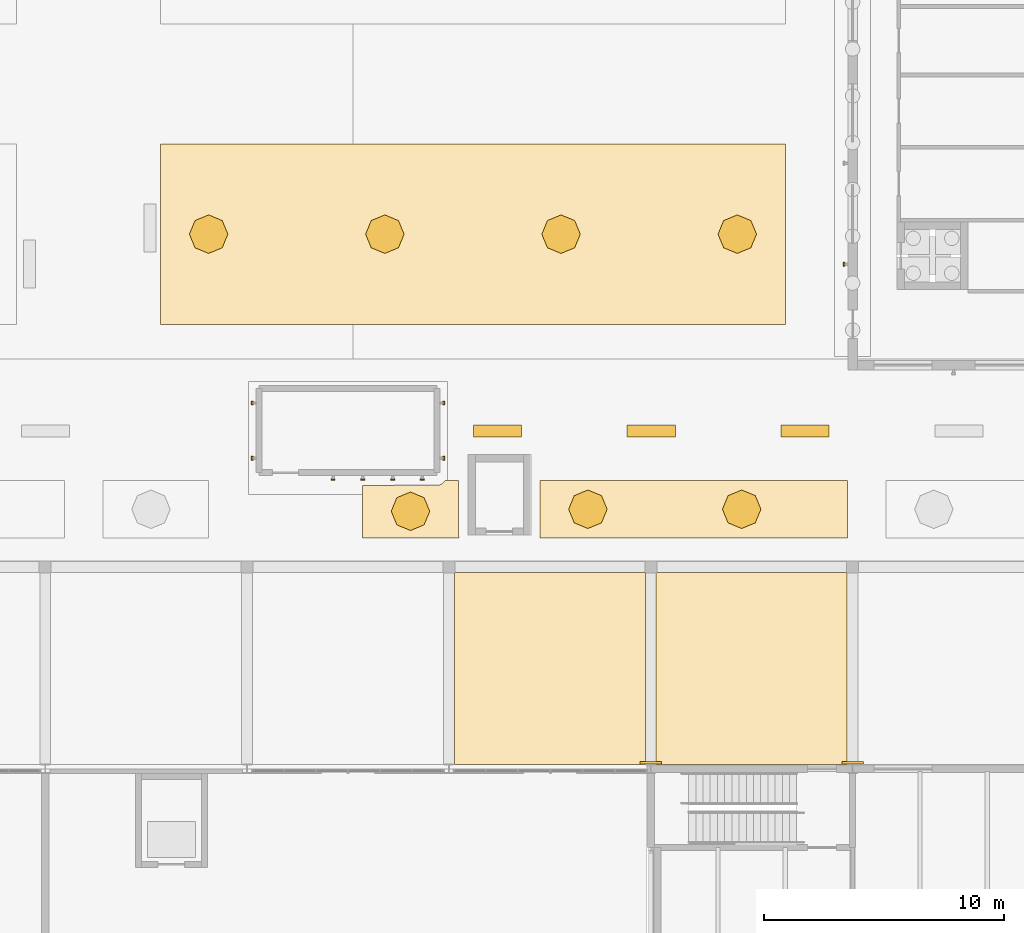
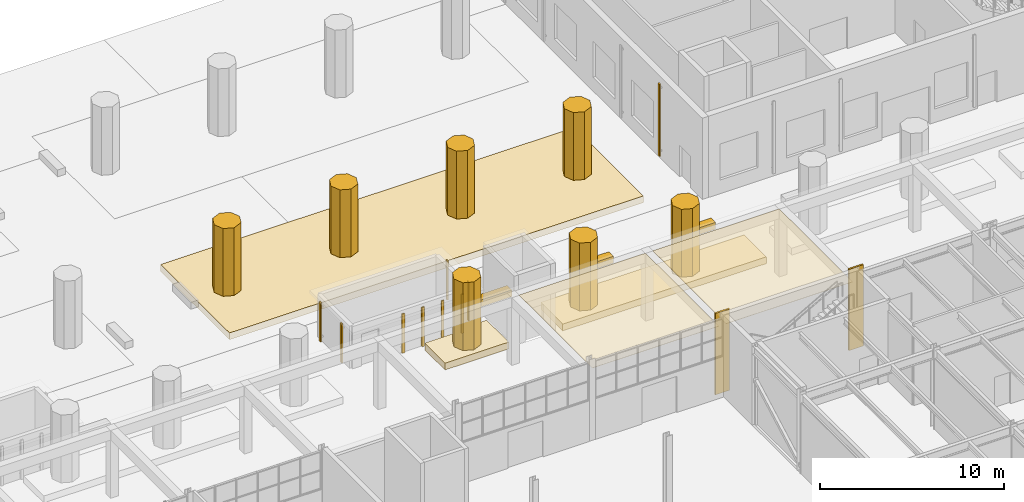
# One storey, part 116 of 127: 17 coverings, 9 shading devices.
"""IFC4 building model written with IfcOpenShell, lengths in metres."""

from ifc_helpers import new_model, si_unit, direction, frame, origin, origin_2d, place, context, subcontext, project, spatial, polyline, rectangle, outline, extrude, material, layer, layer_set, type_object, element, save


model = new_model("IFC4")

# Units and contexts
model_context = context("Model", 3, precision=1e-05, world=origin(), true_north=direction((0.0, 1.0)))
body_context = subcontext(model_context, "Body", "Model", "MODEL_VIEW")
ifc_project = project(units=[si_unit("LENGTHUNIT", "METRE"), si_unit("AREAUNIT", "SQUARE_METRE"), si_unit("VOLUMEUNIT", "CUBIC_METRE"), si_unit("PLANEANGLEUNIT", "RADIAN"), si_unit("MASSUNIT", "GRAM", prefix="KILO")], contexts=[model_context])

# Site, building, storey
site_placement = place(None, origin())
site = spatial("IfcSite", under=ifc_project, at=site_placement, CompositionType="ELEMENT")
building_placement = place(site_placement, origin())
building = spatial("IfcBuilding", under=site, at=building_placement, Name="Ljudholm Concert House", CompositionType="ELEMENT")
storey_placement = place(building_placement, origin())
storey = spatial("IfcBuildingStorey", under=building, at=storey_placement, Name="L00", CompositionType="ELEMENT", Elevation=0.0)

# Coverings
ifc_material_1 = material(Name="Aluminium soffit panels, timber-grain PVDF finish", Category="aluminium")
ifc_layer_1 = layer(ifc_material_1, 0.02001953125)
ifc_layer_set_1 = layer_set([ifc_layer_1], Name="Aluminium soffit panels, timber-grain PVDF finish")
covering_type_1 = type_object("IfcCoveringType", Name="ALUMINIUM SOFFIT PANELS, TIMBER-GRAIN PVDF FINISH CEILING 20", PredefinedType="CEILING", material=ifc_layer_set_1)
covering_1_placement = place(storey_placement, frame((0.0, 0.0, 4.47998046875)))
element("IfcCovering", 1, at=covering_1_placement, inside=storey, type_object=covering_type_1, Name="Arcade soffit", PredefinedType="CEILING", context=body_context, shape_type="SweptSolid", body=[
    extrude(outline(polyline([(46.22509765625, 130.186767578125), (54.175048828125, 130.186767578125), (54.175048828125, 138.175048828125), (46.22509765625, 138.175048828125), (46.22509765625, 130.186767578125)])), origin(), (0.0, 0.0, 1.0), 0.02001953125),
])
covering_2_placement = place(storey_placement, frame((0.0, 0.0, 4.47998046875)))
element("IfcCovering", 2, at=covering_2_placement, inside=storey, type_object=covering_type_1, Name="Arcade soffit", PredefinedType="CEILING", context=body_context, shape_type="SweptSolid", body=[
    extrude(outline(polyline([(54.625, 130.186767578125), (62.574951171875, 130.186767578125), (62.574951171875, 138.175048828125), (54.625, 138.175048828125), (54.625, 130.186767578125)])), origin(), (0.0, 0.0, 1.0), 0.02001953125),
])

# Shading devices
ifc_material_2 = material(Name="Aluminium extrusion with timber-grain PVDF finish", Category="aluminium")
shading_device_type = type_object("IfcShadingDeviceType", Name="FACADE FIN 80x160", PredefinedType="SHUTTER", material=ifc_material_2)
for number, where, z_axis, x_axis, name in (
    (3, (41.177978515625, 142.0400390625, 0.099853515625), (0.0, 0.0, 1.0), (0.0, -1.0, 0.0), "Facade fin"),
    (4, (42.4169921875, 142.0400390625, 0.099853515625), (0.0, 0.0, 1.0), (0.0, -1.0, 0.0), "Facade fin"),
    (5, (43.656005859375, 142.0400390625, 0.099853515625), (0.0, 0.0, 1.0), (0.0, -1.0, 0.0), "Facade fin"),
    (6, (44.89501953125, 142.0400390625, 0.099853515625), (0.0, 0.0, 1.0), (0.0, -1.0, 0.0), "Facade fin"),
    (7, (37.81494140625, 142.925048828125, 0.099853515625), (0.0, 0.0, 1.0), (-1.0, 0.0, 0.0), "Facade fin"),
    (8, (37.81494140625, 145.22509765625, 0.099853515625), (0.0, 0.0, 1.0), (-1.0, 0.0, 0.0), "Facade fin"),
    (9, (45.780029296875, 142.925048828125, 0.099853515625), (0.0, 0.0, 1.0), (1.0, 0.0, 0.0), "Facade fin"),
    (10, (45.780029296875, 145.22509765625, 0.099853515625), (0.0, 0.0, 1.0), (1.0, 0.0, 0.0), "Facade fin"),
):
    element("IfcShadingDevice", number, at=place(storey_placement, frame(where, z_axis=z_axis, x_axis=x_axis)), inside=storey, type_object=shading_device_type, Name=name, PredefinedType="SHUTTER", context=body_context, shape_type="SweptSolid", body=[
        extrude(rectangle(XDim=0.080078125, YDim=0.159912109375, at=origin_2d()), origin(), (0.0, 0.0, 1.0), 2.60009765625),
    ])
shading_device_placement = place(storey_placement, frame((62.43994140625, 151.0, 0.2998046875), z_axis=(0.0, 0.0, 1.0), x_axis=(-1.0, 0.0, 0.0)))
element("IfcShadingDevice", 11, at=shading_device_placement, inside=storey, type_object=shading_device_type, Name="Facade fin", PredefinedType="SHUTTER", context=body_context, shape_type="SweptSolid", body=[
    extrude(rectangle(XDim=0.080078125, YDim=0.159912109375, at=origin_2d()), origin(), (0.0, 0.0, 1.0), 4.800048828125),
])

# Coverings
ifc_material_3 = material(Name="Planting soil and ground cover")
ifc_layer_2 = layer(ifc_material_3, 0.449951171875)
ifc_layer_set_2 = layer_set([ifc_layer_2], Name="Planting soil and ground cover")
covering_type_2 = type_object("IfcCoveringType", Name="PLANTING SOIL AND GROUND COVER FLOOR FINISH 450", PredefinedType="FLOORING", material=ifc_layer_set_2)
covering_3_placement = place(storey_placement, frame((0.0, 0.0, -0.449951171875)))
element("IfcCovering", 12, at=covering_3_placement, inside=storey, type_object=covering_type_2, Name="Garden bed", PredefinedType="FLOORING", context=body_context, shape_type="SweptSolid", body=[
    extrude(outline(polyline([(34.0, 148.5), (60.0, 148.5), (60.0, 156.0), (34.0, 156.0), (34.0, 148.5)])), origin(), (0.0, 0.0, 1.0), 0.449951171875),
])
covering_4_placement = place(storey_placement, origin())
element("IfcCovering", 13, at=covering_4_placement, inside=storey, type_object=covering_type_2, Name="Planting bed", PredefinedType="FLOORING", context=body_context, shape_type="SweptSolid", body=[
    extrude(outline(polyline([(42.39990234375, 139.60009765625), (42.39990234375, 141.800048828125), (45.5341796875, 141.802001953125), (45.611083984375, 141.817138671875), (45.71728515625, 141.867431640625), (45.8525390625, 142.0), (46.39990234375, 142.0), (46.39990234375, 139.72509765625), (46.42041015625, 139.60009765625), (42.39990234375, 139.60009765625)])), origin(), (0.0, 0.0, 1.0), 0.449951171875),
])
covering_5_placement = place(storey_placement, origin())
element("IfcCovering", 14, at=covering_5_placement, inside=storey, type_object=covering_type_2, Name="Planting bed", PredefinedType="FLOORING", context=body_context, shape_type="SweptSolid", body=[
    extrude(outline(polyline([(49.78271484375, 139.60888671875), (49.800048828125, 139.72509765625), (49.800048828125, 142.0), (62.57958984375, 142.0), (62.57958984375, 139.60009765625), (49.78271484375, 139.60888671875)])), origin(), (0.0, 0.0, 1.0), 0.449951171875),
])
ifc_material_4 = material(Name="Precast concrete, limestone aggregate", Category="masonry")
ifc_layer_3 = layer(ifc_material_4, 0.110107421875)
ifc_layer_set_3 = layer_set([ifc_layer_3], Name="Precast concrete, limestone aggregate")
covering_type_3 = type_object("IfcCoveringType", Name="PRECAST CONCRETE, LIMESTONE AGGREGATE CLADDING 110", PredefinedType="CLADDING", material=ifc_layer_set_3)
for number, where, z_axis, x_axis, name in (
    (15, (54.39990234375, 130.2451171875, 0.0), (0.0, 0.0, 1.0), (0.0, 1.0, 0.0), "Pilaster cladding"),
    (16, (62.800048828125, 130.2451171875, 0.0), (0.0, 0.0, 1.0), (0.0, 1.0, 0.0), "Pilaster cladding"),
):
    element("IfcCovering", number, at=place(storey_placement, frame(where, z_axis=z_axis, x_axis=x_axis)), inside=storey, type_object=covering_type_3, Name=name, PredefinedType="CLADDING", context=body_context, shape_type="SweptSolid", body=[
        extrude(rectangle(XDim=0.110107421875, YDim=0.89990234375, at=origin_2d()), origin(), (0.0, 0.0, 1.0), 5.39990234375),
    ])
ifc_material_5 = material(Name="Timber-grain hardwood decking on concrete plinth", Category="concrete")
ifc_layer_4 = layer(ifc_material_5, 0.449951171875)
ifc_layer_set_4 = layer_set([ifc_layer_4], Name="Timber-grain hardwood decking on concrete plinth")
covering_type_4 = type_object("IfcCoveringType", Name="TIMBER-GRAIN HARDWOOD DECKING ON CONCRETE PLINTH FLOOR FINISH 450", PredefinedType="FLOORING", material=ifc_layer_set_4)
covering_6_placement = place(storey_placement, origin())
element("IfcCovering", 17, at=covering_6_placement, inside=storey, type_object=covering_type_4, Name="Timber seating platform", PredefinedType="FLOORING", context=body_context, shape_type="SweptSolid", body=[
    extrude(outline(polyline([(47.02001953125, 143.800048828125), (49.02001953125, 143.800048828125), (49.02001953125, 144.300048828125), (47.02001953125, 144.300048828125), (47.02001953125, 143.800048828125)])), origin(), (0.0, 0.0, 1.0), 0.449951171875),
])
covering_7_placement = place(storey_placement, origin())
element("IfcCovering", 18, at=covering_7_placement, inside=storey, type_object=covering_type_4, Name="Timber seating platform", PredefinedType="FLOORING", context=body_context, shape_type="SweptSolid", body=[
    extrude(outline(polyline([(53.419921875, 143.800048828125), (55.419921875, 143.800048828125), (55.419921875, 144.300048828125), (53.419921875, 144.300048828125), (53.419921875, 143.800048828125)])), origin(), (0.0, 0.0, 1.0), 0.449951171875),
])
covering_8_placement = place(storey_placement, origin())
element("IfcCovering", 19, at=covering_8_placement, inside=storey, type_object=covering_type_4, Name="Timber seating platform", PredefinedType="FLOORING", context=body_context, shape_type="SweptSolid", body=[
    extrude(outline(polyline([(59.820068359375, 143.800048828125), (61.820068359375, 143.800048828125), (61.820068359375, 144.300048828125), (59.820068359375, 144.300048828125), (59.820068359375, 143.800048828125)])), origin(), (0.0, 0.0, 1.0), 0.449951171875),
])
ifc_material_6 = material(Name="Tree planting")
covering_type_5 = type_object("IfcCoveringType", Name="TREE TRUNK AND CROWN 1600", PredefinedType="USERDEFINED", material=ifc_material_6)
covering_9_placement = place(storey_placement, origin())
element("IfcCovering", 20, at=covering_9_placement, inside=storey, type_object=covering_type_5, Name="Tree", ObjectType="TREE", PredefinedType="USERDEFINED", context=body_context, shape_type="SweptSolid", body=[
    extrude(outline(polyline([(36.800048828125, 152.25), (36.565673828125, 152.815673828125), (36.0, 153.050048828125), (35.434326171875, 152.815673828125), (35.199951171875, 152.25), (35.434326171875, 151.684326171875), (36.0, 151.449951171875), (36.565673828125, 151.684326171875), (36.800048828125, 152.25)])), origin(), (0.0, 0.0, 1.0), 4.5),
])
covering_10_placement = place(storey_placement, origin())
element("IfcCovering", 21, at=covering_10_placement, inside=storey, type_object=covering_type_5, Name="Tree", ObjectType="TREE", PredefinedType="USERDEFINED", context=body_context, shape_type="SweptSolid", body=[
    extrude(outline(polyline([(44.13330078125, 152.25), (43.89892578125, 152.815673828125), (43.333251953125, 153.050048828125), (42.767578125, 152.815673828125), (42.533447265625, 152.25), (42.767578125, 151.684326171875), (43.333251953125, 151.449951171875), (43.89892578125, 151.684326171875), (44.13330078125, 152.25)])), origin(), (0.0, 0.0, 1.0), 4.5),
])
covering_11_placement = place(storey_placement, origin())
element("IfcCovering", 22, at=covering_11_placement, inside=storey, type_object=covering_type_5, Name="Tree", ObjectType="TREE", PredefinedType="USERDEFINED", context=body_context, shape_type="SweptSolid", body=[
    extrude(outline(polyline([(51.466552734375, 152.25), (51.232421875, 152.815673828125), (50.666748046875, 153.050048828125), (50.10107421875, 152.815673828125), (49.86669921875, 152.25), (50.10107421875, 151.684326171875), (50.666748046875, 151.449951171875), (51.232421875, 151.684326171875), (51.466552734375, 152.25)])), origin(), (0.0, 0.0, 1.0), 4.5),
])
covering_12_placement = place(storey_placement, origin())
element("IfcCovering", 23, at=covering_12_placement, inside=storey, type_object=covering_type_5, Name="Tree", ObjectType="TREE", PredefinedType="USERDEFINED", context=body_context, shape_type="SweptSolid", body=[
    extrude(outline(polyline([(58.800048828125, 152.25), (58.565673828125, 152.815673828125), (58.0, 153.050048828125), (57.434326171875, 152.815673828125), (57.199951171875, 152.25), (57.434326171875, 151.684326171875), (58.0, 151.449951171875), (58.565673828125, 151.684326171875), (58.800048828125, 152.25)])), origin(), (0.0, 0.0, 1.0), 4.5),
])
covering_13_placement = place(storey_placement, frame((0.0, 0.0, 0.449951171875)))
element("IfcCovering", 24, at=covering_13_placement, inside=storey, type_object=covering_type_5, Name="Tree", ObjectType="TREE", PredefinedType="USERDEFINED", context=body_context, shape_type="SweptSolid", body=[
    extrude(outline(polyline([(45.199951171875, 140.718017578125), (44.965576171875, 141.28369140625), (44.39990234375, 141.51806640625), (43.834228515625, 141.28369140625), (43.60009765625, 140.718017578125), (43.834228515625, 140.15234375), (44.39990234375, 139.91796875), (44.965576171875, 140.15234375), (45.199951171875, 140.718017578125)])), origin(), (0.0, 0.0, 1.0), 4.5),
])
covering_14_placement = place(storey_placement, frame((0.0, 0.0, 0.449951171875)))
element("IfcCovering", 25, at=covering_14_placement, inside=storey, type_object=covering_type_5, Name="Tree", ObjectType="TREE", PredefinedType="USERDEFINED", context=body_context, shape_type="SweptSolid", body=[
    extrude(outline(polyline([(52.582763671875, 140.80224609375), (52.348388671875, 141.367919921875), (51.78271484375, 141.602294921875), (51.217041015625, 141.367919921875), (50.982666015625, 140.80224609375), (51.217041015625, 140.236572265625), (51.78271484375, 140.002197265625), (52.348388671875, 140.236572265625), (52.582763671875, 140.80224609375)])), origin(), (0.0, 0.0, 1.0), 4.5),
])
covering_15_placement = place(storey_placement, frame((0.0, 0.0, 0.449951171875)))
element("IfcCovering", 26, at=covering_15_placement, inside=storey, type_object=covering_type_5, Name="Tree", ObjectType="TREE", PredefinedType="USERDEFINED", context=body_context, shape_type="SweptSolid", body=[
    extrude(outline(polyline([(58.982666015625, 140.80224609375), (58.74853515625, 141.367919921875), (58.182861328125, 141.602294921875), (57.6171875, 141.367919921875), (57.3828125, 140.80224609375), (57.6171875, 140.236572265625), (58.182861328125, 140.002197265625), (58.74853515625, 140.236572265625), (58.982666015625, 140.80224609375)])), origin(), (0.0, 0.0, 1.0), 4.5),
])

save(model, "model.ifc")
